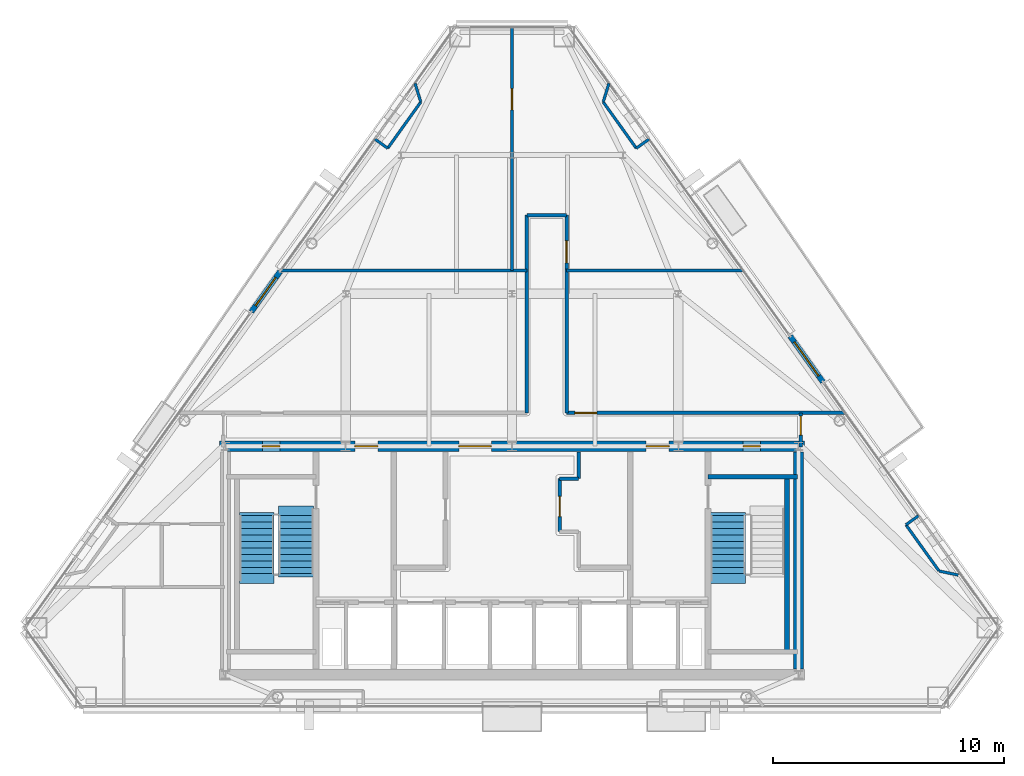
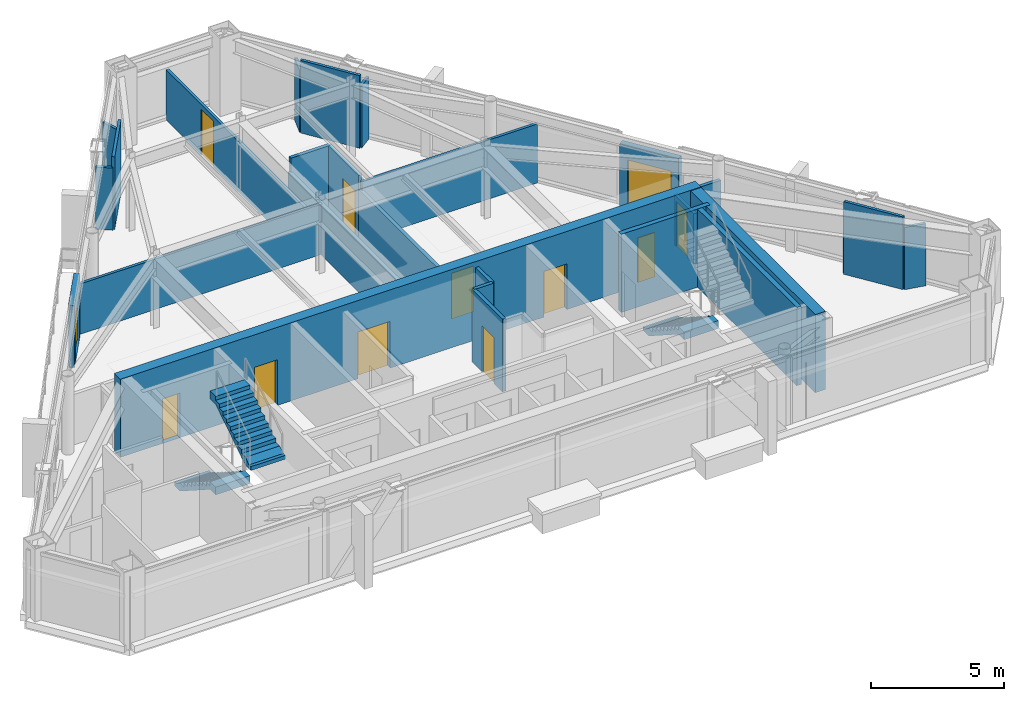
# One storey, part 9 of 12: 27 walls, 12 doors, 3 stair flights, 12 openings, 2 elements without a shape of their own.
"""IFC4 building model written with IfcOpenShell, lengths in metres."""

from ifc_helpers import new_model, si_unit, direction, frame, frame_2d, origin, place, context, subcontext, project, spatial, polyline, rectangle, outline, extrude, material, layer, layer_set, type_object, element, fill, aggregate, save


model = new_model("IFC4")

# Units and contexts
model_context = context("Model", 3, precision=1e-05, world=origin(), true_north=direction((0.0, 1.0)))
body_context = subcontext(model_context, "Body", "Model", "MODEL_VIEW")
ifc_project = project(units=[si_unit("LENGTHUNIT", "METRE"), si_unit("AREAUNIT", "SQUARE_METRE"), si_unit("VOLUMEUNIT", "CUBIC_METRE"), si_unit("PLANEANGLEUNIT", "RADIAN"), si_unit("MASSUNIT", "GRAM", prefix="KILO")], contexts=[model_context])

# Site, building, storey
site_placement = place(None, origin())
site = spatial("IfcSite", under=ifc_project, at=site_placement, CompositionType="ELEMENT")
building_placement = place(site_placement, origin())
building = spatial("IfcBuilding", under=site, at=building_placement, Name="Talgorran Terracotta Tower", CompositionType="ELEMENT")
storey_placement = place(building_placement, frame((0.0, 0.0, 252.60009765625)))
storey = spatial("IfcBuildingStorey", under=building, at=storey_placement, Name="L66", CompositionType="ELEMENT", Elevation=252.60009765625)

# Wall, opening, door
ifc_material_1 = material(Name="Concrete C40/50", Category="concrete")
ifc_layer_1 = layer(ifc_material_1, 0.239990234375, Name="WT_BALCONY_SPAND")
ifc_layer_set_1 = layer_set([ifc_layer_1], Name="Concrete C40/50")
wall_type_1 = type_object("IfcWallType", Name="WT_BALCONY_SPAND", PredefinedType="STANDARD", material=ifc_layer_set_1)
wall_1_placement = place(storey_placement, frame((13.458251953125, -1.417236328125, -0.01513671875), z_axis=(0.0, 0.0, 1.0), x_axis=(-0.582146480264, 0.813083928949, 0.0)))
wall_1 = element("IfcWall", 1, at=wall_1_placement, inside=storey, type_object=wall_type_1, Name="WL-L66-BALP-BAL-NE", PredefinedType="STANDARD", context=body_context, shape_type="SweptSolid", body=[
    extrude(rectangle(XDim=2.43994140625, YDim=0.239990234375, at=frame_2d((1.219970703125, 0.0))), origin(), (0.0, 0.0, 1.0), 2.8779296875),
])
opening_1_placement = place(wall_1_placement, frame((0.320068359375, 0.0, 0.014892578125)))
opening_1 = element("IfcOpeningElement", 2, at=opening_1_placement, cuts=wall_1, Name="Opening D-BAL-L66-1", PredefinedType="OPENING", context=body_context, shape_type="SweptSolid", body=[
    extrude(rectangle(XDim=1.806048828125, YDim=2.203951171875, at=frame_2d((0.89990234375, 1.10205078125))), frame((0.0, 0.1298828125, 0.0), z_axis=(0.0, -1.0, 0.0), x_axis=(1.0, 0.0, 0.0)), (0.0, 0.0, 1.0), 0.260009765625),
])
ifc_material_2 = material(Name="Thermally Broken Aluminium", Category="aluminium")
door_type_1 = type_object("IfcDoorType", Name="DT_BALC_1800", OperationType="SLIDING_TO_LEFT", PredefinedType="DOOR", material=ifc_material_2)
door_1_placement = place(opening_1_placement, origin())
door_1 = element("IfcDoor", 3, at=door_1_placement, inside=storey, type_object=door_type_1, Name="DR-L66-BAL-BAL-NE", OperationType="SLIDING_TO_LEFT", OverallHeight=2.199951171875, OverallWidth=1.800048828125, PredefinedType="DOOR", context=body_context, shape_type="SweptSolid", body=[
    extrude(rectangle(XDim=1.800048828125, YDim=2.199951171875, at=frame_2d((0.89990234375, 1.10009765625))), frame((0.0, 0.02490234375, 0.0), z_axis=(0.0, -1.0, 0.0), x_axis=(1.0, 0.0, 0.0)), (0.0, 0.0, 1.0), 0.050048828125),
])
fill(opening_1, door_1)

wall_2_placement = place(storey_placement, frame((-10.039306640625, 3.357421875, -0.01513671875), z_axis=(0.0, 0.0, 1.0), x_axis=(-0.58216589686, -0.813070026832, 0.0)))
wall_2 = element("IfcWall", 4, at=wall_2_placement, inside=storey, type_object=wall_type_1, Name="WL-L66-BALP-BAL-NW", PredefinedType="STANDARD", context=body_context, shape_type="SweptSolid", body=[
    extrude(rectangle(XDim=2.14013671875, YDim=0.239990234375, at=frame_2d((1.070068359375, 0.0))), origin(), (0.0, 0.0, 1.0), 2.8779296875),
])
opening_2_placement = place(wall_2_placement, frame((0.320068359375, 0.0, 0.014892578125)))
opening_2 = element("IfcOpeningElement", 5, at=opening_2_placement, cuts=wall_2, Name="Opening D-BAL-L66-2", PredefinedType="OPENING", context=body_context, shape_type="SweptSolid", body=[
    extrude(rectangle(XDim=1.506, YDim=2.203951171875, at=frame_2d((0.75, 1.10205078125))), frame((0.0, 0.1298828125, 0.0), z_axis=(0.0, -1.0, 0.0), x_axis=(1.0, 0.0, 0.0)), (0.0, 0.0, 1.0), 0.260009765625),
])
door_type_2 = type_object("IfcDoorType", Name="DT_BALC_1500", OperationType="SLIDING_TO_RIGHT", PredefinedType="DOOR", material=ifc_material_2)
door_2_placement = place(opening_2_placement, origin())
door_2 = element("IfcDoor", 6, at=door_2_placement, inside=storey, type_object=door_type_2, Name="DR-L66-BAL-BAL-NW", OperationType="SLIDING_TO_RIGHT", OverallHeight=2.199951171875, OverallWidth=1.5, PredefinedType="DOOR", context=body_context, shape_type="SweptSolid", body=[
    extrude(rectangle(XDim=1.5, YDim=2.199951171875, at=frame_2d((0.75, 1.10009765625))), frame((0.0, 0.02490234375, 0.0), z_axis=(0.0, -1.0, 0.0), x_axis=(1.0, 0.0, 0.0)), (0.0, 0.0, 1.0), 0.050048828125),
])
fill(opening_2, door_2)

# Walls
ifc_material_3 = material(Name="Concrete C50/60", Category="concrete")
ifc_layer_2 = layer(ifc_material_3, 0.199951171875, Name="WT_CORE_200")
ifc_layer_set_2 = layer_set([ifc_layer_2], Name="Concrete C50/60")
wall_type_2 = type_object("IfcWallType", Name="WT_CORE_200", PredefinedType="SOLIDWALL", material=ifc_layer_set_2)
wall_3_placement = place(storey_placement, frame((8.47998046875, -5.52001953125, 0.0), z_axis=(0.0, 0.0, 1.0), x_axis=(1.0, 0.0, 0.0)))
element("IfcWall", 7, at=wall_3_placement, inside=storey, type_object=wall_type_2, Name="WL-L66-CW-ST2-N", PredefinedType="SOLIDWALL", context=body_context, shape_type="SweptSolid", body=[
    extrude(rectangle(XDim=3.8701171875, YDim=0.199951171875, at=frame_2d((1.93505859375, 0.0))), origin(), (0.0, 0.0, 1.0), 3.599853515625),
])
wall_4_placement = place(storey_placement, frame((11.89990234375, -13.10009765625, 0.0), z_axis=(0.0, 0.0, 1.0), x_axis=(0.0, 1.0, 0.0)))
element("IfcWall", 8, at=wall_4_placement, inside=storey, type_object=wall_type_2, Name="WL-L66-CW-ST2-E", PredefinedType="SOLIDWALL", context=body_context, shape_type="SweptSolid", body=[
    extrude(rectangle(XDim=7.580078125, YDim=0.199951171875, at=frame_2d((3.7900390625, 0.0))), origin(), (0.0, 0.0, 1.0), 3.599853515625),
])

# Wall, openings, doors
ifc_material_4 = material(Name="Concrete C65/80", Category="concrete")
ifc_layer_3 = layer(ifc_material_4, 0.449951171875, Name="WT_CORE_EXT")
ifc_layer_set_3 = layer_set([ifc_layer_3], Name="Concrete C65/80")
wall_type_3 = type_object("IfcWallType", Name="WT_CORE_EXT", PredefinedType="SHEAR", material=ifc_layer_set_3)
wall_5_placement = place(storey_placement, frame((-12.64990234375, -4.199951171875, 0.0), z_axis=(0.0, 0.0, 1.0), x_axis=(1.0, 0.0, 0.0)))
wall_5 = element("IfcWall", 9, at=wall_5_placement, inside=storey, type_object=wall_type_3, Name="WL-L66-CW-OUT-N", PredefinedType="SHEAR", context=body_context, shape_type="SweptSolid", body=[
    extrude(rectangle(XDim=25.2998046875, YDim=0.449951171875, at=frame_2d((12.64990234375, 0.0))), origin(), (0.0, 0.0, 1.0), 3.599853515625),
])
opening_3_placement = place(wall_5_placement, frame((1.85009765625, 0.0, 0.0)))
opening_3 = element("IfcOpeningElement", 10, at=opening_3_placement, cuts=wall_5, Name="Opening DR-CSN1", PredefinedType="OPENING", context=body_context, shape_type="SweptSolid", body=[
    extrude(rectangle(XDim=0.756, YDim=2.054048828125, at=frame_2d((0.375, 1.027099609375))), frame((0.0, 0.23486328125, 0.0), z_axis=(0.0, -1.0, 0.0), x_axis=(1.0, 0.0, 0.0)), (0.0, 0.0, 1.0), 0.469970703125),
])
opening_4_placement = place(wall_5_placement, frame((22.64990234375, 0.0, 0.0)))
opening_4 = element("IfcOpeningElement", 11, at=opening_4_placement, cuts=wall_5, Name="Opening DR-CSN2", PredefinedType="OPENING", context=body_context, shape_type="SweptSolid", body=[
    extrude(rectangle(XDim=0.756, YDim=2.054048828125, at=frame_2d((0.375, 1.027099609375))), frame((0.0, 0.23486328125, 0.0), z_axis=(0.0, -1.0, 0.0), x_axis=(1.0, 0.0, 0.0)), (0.0, 0.0, 1.0), 0.469970703125),
])
opening_5_placement = place(wall_5_placement, frame((5.85009765625, 0.0, 0.0)))
opening_5 = element("IfcOpeningElement", 12, at=opening_5_placement, cuts=wall_5, Name="Opening DR-FFLW-N", PredefinedType="OPENING", context=body_context, shape_type="SweptSolid", body=[
    extrude(rectangle(XDim=1.006, YDim=2.10409765625, at=frame_2d((0.5, 1.052001953125))), frame((0.0, 0.23486328125, 0.0), z_axis=(0.0, -1.0, 0.0), x_axis=(1.0, 0.0, 0.0)), (0.0, 0.0, 1.0), 0.469970703125),
])
opening_6_placement = place(wall_5_placement, frame((10.35009765625, 0.0, 0.0)))
opening_6 = element("IfcOpeningElement", 13, at=opening_6_placement, cuts=wall_5, Name="Opening DR-PLL-N", PredefinedType="OPENING", context=body_context, shape_type="SweptSolid", body=[
    extrude(rectangle(XDim=1.40590234375, YDim=2.15390234375, at=frame_2d((0.699951171875, 1.076904296875))), frame((0.0, 0.23486328125, 0.0), z_axis=(0.0, -1.0, 0.0), x_axis=(1.0, 0.0, 0.0)), (0.0, 0.0, 1.0), 0.469970703125),
])
opening_7_placement = place(wall_5_placement, frame((18.449951171875, 0.0, 0.0)))
opening_7 = element("IfcOpeningElement", 14, at=opening_7_placement, cuts=wall_5, Name="Opening DR-FFLE-N", PredefinedType="OPENING", context=body_context, shape_type="SweptSolid", body=[
    extrude(rectangle(XDim=1.006, YDim=2.10409765625, at=frame_2d((0.5, 1.052001953125))), frame((0.0, 0.23486328125, 0.0), z_axis=(0.0, -1.0, 0.0), x_axis=(1.0, 0.0, 0.0)), (0.0, 0.0, 1.0), 0.469970703125),
])
ifc_material_5 = material(Name="Acoustic Glazed Timber", Category="wood")
door_type_3 = type_object("IfcDoorType", Name="DT_DOUBLE_1400", OperationType="DOUBLE_DOOR_SINGLE_SWING", PredefinedType="DOOR", material=ifc_material_5)
door_3_placement = place(opening_6_placement, origin())
door_3 = element("IfcDoor", 15, at=door_3_placement, inside=storey, type_object=door_type_3, Name="DR-PLL-N", OperationType="DOUBLE_DOOR_SINGLE_SWING", OverallHeight=2.14990234375, OverallWidth=1.39990234375, PredefinedType="DOOR", context=body_context, shape_type="SweptSolid", body=[
    extrude(rectangle(XDim=1.39990234375, YDim=2.14990234375, at=frame_2d((0.699951171875, 1.074951171875))), frame((0.0, 0.02490234375, 0.0), z_axis=(0.0, -1.0, 0.0), x_axis=(1.0, 0.0, 0.0)), (0.0, 0.0, 1.0), 0.050048828125),
])
fill(opening_6, door_3)
ifc_material_6 = material(Name="Fire-Rated Pressed Steel", Category="steel")
door_type_4 = type_object("IfcDoorType", Name="DT_FIRE_1000", OperationType="NOTDEFINED", PredefinedType="DOOR", material=ifc_material_6)
door_4_placement = place(opening_5_placement, origin())
door_4 = element("IfcDoor", 16, at=door_4_placement, inside=storey, type_object=door_type_4, Name="DR-FFLW-N", OperationType="SINGLE_SWING_LEFT", OverallHeight=2.10009765625, OverallWidth=1.0, PredefinedType="DOOR", context=body_context, shape_type="SweptSolid", body=[
    extrude(rectangle(XDim=1.0, YDim=2.10009765625, at=frame_2d((0.5, 1.050048828125))), frame((0.0, 0.02490234375, 0.0), z_axis=(0.0, -1.0, 0.0), x_axis=(1.0, 0.0, 0.0)), (0.0, 0.0, 1.0), 0.050048828125),
])
fill(opening_5, door_4)
door_5_placement = place(opening_7_placement, origin())
door_5 = element("IfcDoor", 17, at=door_5_placement, inside=storey, type_object=door_type_4, Name="DR-FFLE-N", OperationType="SINGLE_SWING_RIGHT", OverallHeight=2.10009765625, OverallWidth=1.0, PredefinedType="DOOR", context=body_context, shape_type="SweptSolid", body=[
    extrude(rectangle(XDim=1.0, YDim=2.10009765625, at=frame_2d((0.5, 1.050048828125))), frame((0.0, 0.02490234375, 0.0), z_axis=(0.0, -1.0, 0.0), x_axis=(1.0, 0.0, 0.0)), (0.0, 0.0, 1.0), 0.050048828125),
])
fill(opening_7, door_5)
door_type_5 = type_object("IfcDoorType", Name="DT_RISER_750", OperationType="NOTDEFINED", PredefinedType="DOOR", material=ifc_material_6)
door_6_placement = place(opening_3_placement, origin())
door_6 = element("IfcDoor", 18, at=door_6_placement, inside=storey, type_object=door_type_5, Name="DR-CSN1", OperationType="SINGLE_SWING_LEFT", OverallHeight=2.050048828125, OverallWidth=0.75, PredefinedType="DOOR", context=body_context, shape_type="SweptSolid", body=[
    extrude(rectangle(XDim=0.75, YDim=2.050048828125, at=frame_2d((0.375, 1.02490234375))), frame((0.0, 0.02490234375, 0.0), z_axis=(0.0, -1.0, 0.0), x_axis=(1.0, 0.0, 0.0)), (0.0, 0.0, 1.0), 0.050048828125),
])
fill(opening_3, door_6)
door_7_placement = place(opening_4_placement, origin())
door_7 = element("IfcDoor", 19, at=door_7_placement, inside=storey, type_object=door_type_5, Name="DR-CSN2", OperationType="SINGLE_SWING_RIGHT", OverallHeight=2.050048828125, OverallWidth=0.75, PredefinedType="DOOR", context=body_context, shape_type="SweptSolid", body=[
    extrude(rectangle(XDim=0.75, YDim=2.050048828125, at=frame_2d((0.375, 1.02490234375))), frame((0.0, 0.02490234375, 0.0), z_axis=(0.0, -1.0, 0.0), x_axis=(1.0, 0.0, 0.0)), (0.0, 0.0, 1.0), 0.050048828125),
])
fill(opening_4, door_7)

# Wall
wall_6_placement = place(storey_placement, frame((12.39990234375, -13.85009765625, 0.0), z_axis=(0.0, 0.0, 1.0), x_axis=(0.0, 1.0, 0.0)))
element("IfcWall", 20, at=wall_6_placement, inside=storey, type_object=wall_type_3, Name="WL-L66-CW-OUT-E", PredefinedType="SHEAR", context=body_context, shape_type="SweptSolid", body=[
    extrude(rectangle(XDim=9.400146484375, YDim=0.449951171875, at=frame_2d((4.7001953125, 0.0))), origin(), (0.0, 0.0, 1.0), 3.599853515625),
])

# Wall, opening, door
ifc_material_7 = material(Name="Fire-Rated Steel Stud Plasterboard", Category="steel")
ifc_layer_4 = layer(ifc_material_7, 0.14990234375, Name="WT_FIRE_150")
ifc_layer_set_4 = layer_set([ifc_layer_4], Name="Fire-Rated Steel Stud Plasterboard")
wall_type_4 = type_object("IfcWallType", Name="WT_FIRE_150", PredefinedType="PARTITIONING", material=ifc_layer_set_4)
wall_7_placement = place(storey_placement, frame((2.06005859375, -7.89990234375, 0.0), z_axis=(0.0, 0.0, 1.0), x_axis=(0.0, 1.0, 0.0)))
wall_7 = element("IfcWall", 21, at=wall_7_placement, inside=storey, type_object=wall_type_4, Name="WL-L66-CW-V-E3C", PredefinedType="PARTITIONING", context=body_context, shape_type="SweptSolid", body=[
    extrude(rectangle(XDim=2.2998046875, YDim=0.14990234375, at=frame_2d((1.14990234375, 0.0))), origin(), (0.0, 0.0, 1.0), 3.344970703125),
])
opening_8_placement = place(wall_7_placement, frame((0.64990234375, 0.0, 0.0)))
opening_8 = element("IfcOpeningElement", 22, at=opening_8_placement, cuts=wall_7, Name="Opening DR-FRPLM-B", PredefinedType="OPENING", context=body_context, shape_type="SweptSolid", body=[
    extrude(rectangle(XDim=0.8858828125, YDim=2.10409765625, at=frame_2d((0.43994140625, 1.052001953125))), frame((0.0, 0.0849609375, 0.0), z_axis=(0.0, -1.0, 0.0), x_axis=(1.0, 0.0, 0.0)), (0.0, 0.0, 1.0), 0.169921875),
])
ifc_material_8 = material(Name="Solid-Core Painted Timber", Category="wood")
door_type_6 = type_object("IfcDoorType", Name="DT_INT_880", OperationType="NOTDEFINED", PredefinedType="DOOR", material=ifc_material_8)
door_8_placement = place(opening_8_placement, origin())
door_8 = element("IfcDoor", 23, at=door_8_placement, inside=storey, type_object=door_type_6, Name="DR-FRPLM-B", OperationType="SINGLE_SWING_RIGHT", OverallHeight=2.10009765625, OverallWidth=0.8798828125, PredefinedType="DOOR", context=body_context, shape_type="SweptSolid", body=[
    extrude(rectangle(XDim=0.8798828125, YDim=2.10009765625, at=frame_2d((0.43994140625, 1.050048828125))), frame((0.0, 0.02490234375, 0.0), z_axis=(0.0, -1.0, 0.0), x_axis=(1.0, 0.0, 0.0)), (0.0, 0.0, 1.0), 0.050048828125),
])
fill(opening_8, door_8)

# Walls
wall_8_placement = place(storey_placement, frame((2.06005859375, -5.60009765625, 0.0), z_axis=(0.0, 0.0, 1.0), x_axis=(1.0, 0.0, 0.0)))
element("IfcWall", 24, at=wall_8_placement, inside=storey, type_object=wall_type_4, Name="WL-L66-CW-H-E3D", PredefinedType="PARTITIONING", context=body_context, shape_type="SweptSolid", body=[
    extrude(rectangle(XDim=0.81982421875, YDim=0.14990234375, at=frame_2d((0.409912109375, 0.0))), origin(), (0.0, 0.0, 1.0), 3.344970703125),
])
wall_9_placement = place(storey_placement, frame((2.8798828125, -5.60009765625, 0.0), z_axis=(0.0, 0.0, 1.0), x_axis=(0.0, 1.0, 0.0)))
element("IfcWall", 25, at=wall_9_placement, inside=storey, type_object=wall_type_4, Name="WL-L66-CW-V-E3E", PredefinedType="PARTITIONING", context=body_context, shape_type="SweptSolid", body=[
    extrude(rectangle(XDim=1.150146484375, YDim=0.14990234375, at=frame_2d((0.5751953125, 0.0))), origin(), (0.0, 0.0, 1.0), 3.344970703125),
])

# Wall, opening, door
wall_10_placement = place(storey_placement, frame((2.360107421875, -2.760009765625, 0.0), z_axis=(0.0, 0.0, 1.0), x_axis=(1.0, 0.0, 0.0)))
wall_10 = element("IfcWall", 26, at=wall_10_placement, inside=storey, type_object=wall_type_4, Name="WL-L66-W-L66-R04", PredefinedType="PARTITIONING", context=body_context, shape_type="SweptSolid", body=[
    extrude(rectangle(XDim=12.059814453125, YDim=0.14990234375, at=frame_2d((6.02978515625, 0.0))), origin(), (0.0, 0.0, 1.0), 2.31982421875),
])
opening_9_placement = place(wall_10_placement, frame((0.359619140625, 0.0, 0.0)))
opening_9 = element("IfcOpeningElement", 27, at=opening_9_placement, cuts=wall_10, Name="Opening DR-L66-R07", PredefinedType="OPENING", context=body_context, shape_type="SweptSolid", body=[
    extrude(rectangle(XDim=0.955951171875, YDim=2.10409765625, at=frame_2d((0.47509765625, 1.052001953125))), frame((0.0, 0.0849609375, 0.0), z_axis=(0.0, -1.0, 0.0), x_axis=(1.0, 0.0, 0.0)), (0.0, 0.0, 1.0), 0.169921875),
])
ifc_material_9 = material(Name="Fire-Rated Timber Core", Category="wood")
door_type_7 = type_object("IfcDoorType", Name="DT_FIRE_950", OperationType="NOTDEFINED", PredefinedType="DOOR", material=ifc_material_9)
door_9_placement = place(opening_9_placement, origin())
door_9 = element("IfcDoor", 28, at=door_9_placement, inside=storey, type_object=door_type_7, Name="DR-L66-R07", OperationType="SINGLE_SWING_LEFT", OverallHeight=2.10009765625, OverallWidth=0.949951171875, PredefinedType="DOOR", context=body_context, shape_type="SweptSolid", body=[
    extrude(rectangle(XDim=0.949951171875, YDim=2.10009765625, at=frame_2d((0.47509765625, 1.050048828125))), frame((0.0, 0.02490234375, 0.0), z_axis=(0.0, -1.0, 0.0), x_axis=(1.0, 0.0, 0.0)), (0.0, 0.0, 1.0), 0.050048828125),
])
fill(opening_9, door_9)

# Walls
wall_11_placement = place(storey_placement, frame((2.360107421875, -2.760009765625, 0.0), z_axis=(0.0, 0.0, 1.0), x_axis=(0.0, 1.0, 0.0)))
element("IfcWall", 29, at=wall_11_placement, inside=storey, type_object=wall_type_4, Name="WL-L66-W-L66-R03", PredefinedType="PARTITIONING", context=body_context, shape_type="SweptSolid", body=[
    extrude(rectangle(XDim=6.219970703125, YDim=0.14990234375, at=frame_2d((3.10986328125, 0.0))), origin(), (0.0, 0.0, 1.0), 2.31982421875),
])
wall_12_placement = place(storey_placement, frame((0.639892578125, -2.760009765625, 0.0), z_axis=(0.0, 0.0, 1.0), x_axis=(0.0, 1.0, 0.0)))
element("IfcWall", 30, at=wall_12_placement, inside=storey, type_object=wall_type_4, Name="WL-L66-W-L66-R09", PredefinedType="PARTITIONING", context=body_context, shape_type="SweptSolid", body=[
    extrude(rectangle(XDim=8.56005859375, YDim=0.14990234375, at=frame_2d((4.280029296875, 0.0))), origin(), (0.0, 0.0, 1.0), 2.31982421875),
])

# Wall, opening, door
wall_13_placement = place(storey_placement, frame((2.360107421875, 3.4619140625, 0.0), z_axis=(0.0, 0.0, 1.0), x_axis=(0.0, 1.0, 0.0)))
wall_13 = element("IfcWall", 31, at=wall_13_placement, inside=storey, type_object=wall_type_4, Name="WL-L66-W-L66-R07", PredefinedType="PARTITIONING", context=body_context, shape_type="SweptSolid", body=[
    extrude(rectangle(XDim=2.338134765625, YDim=0.14990234375, at=frame_2d((1.1689453125, 0.0))), origin(), (0.0, 0.0, 1.0), 2.96435546875),
])
opening_10_placement = place(wall_13_placement, frame((0.27587890625, 0.0, 0.0)))
opening_10 = element("IfcOpeningElement", 32, at=opening_10_placement, cuts=wall_13, Name="Opening DR-L66-R09", PredefinedType="OPENING", context=body_context, shape_type="SweptSolid", body=[
    extrude(rectangle(XDim=0.955951171875, YDim=2.10409765625, at=frame_2d((0.47509765625, 1.052001953125))), frame((0.0, 0.0849609375, 0.0), z_axis=(0.0, -1.0, 0.0), x_axis=(1.0, 0.0, 0.0)), (0.0, 0.0, 1.0), 0.169921875),
])
door_10_placement = place(opening_10_placement, origin())
door_10 = element("IfcDoor", 33, at=door_10_placement, inside=storey, type_object=door_type_7, Name="DR-L66-R09", OperationType="SINGLE_SWING_LEFT", OverallHeight=2.10009765625, OverallWidth=0.949951171875, PredefinedType="DOOR", context=body_context, shape_type="SweptSolid", body=[
    extrude(rectangle(XDim=0.949951171875, YDim=2.10009765625, at=frame_2d((0.47509765625, 1.050048828125))), frame((0.0, 0.02490234375, 0.0), z_axis=(0.0, -1.0, 0.0), x_axis=(1.0, 0.0, 0.0)), (0.0, 0.0, 1.0), 0.050048828125),
])
fill(opening_10, door_10)

# Wall
wall_14_placement = place(storey_placement, frame((0.639892578125, 5.800048828125, 0.0), z_axis=(0.0, 0.0, 1.0), x_axis=(1.0, 0.0, 0.0)))
element("IfcWall", 34, at=wall_14_placement, inside=storey, type_object=wall_type_4, Name="WL-L66-W-L66-R06", PredefinedType="PARTITIONING", context=body_context, shape_type="SweptSolid", body=[
    extrude(rectangle(XDim=1.72021484375, YDim=0.14990234375, at=frame_2d((0.860107421875, 0.0))), origin(), (0.0, 0.0, 1.0), 2.96435546875),
])

# Wall, opening, door
wall_15_placement = place(storey_placement, frame((12.5, -4.239990234375, 0.0), z_axis=(0.0, 0.0, 1.0), x_axis=(0.0, 1.0, 0.0)))
wall_15 = element("IfcWall", 35, at=wall_15_placement, inside=storey, type_object=wall_type_4, Name="WL-L66-W-L66-R02", PredefinedType="PARTITIONING", context=body_context, shape_type="SweptSolid", body=[
    extrude(rectangle(XDim=1.47998046875, YDim=0.14990234375, at=frame_2d((0.739990234375, 0.0))), origin(), (0.0, 0.0, 1.0), 2.31982421875),
])
opening_11_placement = place(wall_15_placement, frame((0.521728515625, 0.0, 0.0)))
opening_11 = element("IfcOpeningElement", 36, at=opening_11_placement, cuts=wall_15, Name="Opening DR-L66-R06", PredefinedType="OPENING", context=body_context, shape_type="SweptSolid", body=[
    extrude(rectangle(XDim=0.826068359375, YDim=2.10409765625, at=frame_2d((0.41015625, 1.052001953125))), frame((0.0, 0.0849609375, 0.0), z_axis=(0.0, -1.0, 0.0), x_axis=(1.0, 0.0, 0.0)), (0.0, 0.0, 1.0), 0.169921875),
])
ifc_material_10 = material(Name="Moisture-Resistant Solid Timber", Category="wood")
door_type_8 = type_object("IfcDoorType", Name="DT_INT_820", OperationType="NOTDEFINED", PredefinedType="DOOR", material=ifc_material_10)
door_11_placement = place(opening_11_placement, origin())
door_11 = element("IfcDoor", 37, at=door_11_placement, inside=storey, type_object=door_type_8, Name="DR-L66-R06", OperationType="SINGLE_SWING_RIGHT", OverallHeight=2.10009765625, OverallWidth=0.820068359375, PredefinedType="DOOR", context=body_context, shape_type="SweptSolid", body=[
    extrude(rectangle(XDim=0.820068359375, YDim=2.10009765625, at=frame_2d((0.41015625, 1.050048828125))), frame((0.0, 0.02490234375, 0.0), z_axis=(0.0, -1.0, 0.0), x_axis=(1.0, 0.0, 0.0)), (0.0, 0.0, 1.0), 0.050048828125),
])
fill(opening_11, door_11)

ifc_material_11 = material(Name="Insulated Steel Stud Plasterboard", Category="steel")
ifc_layer_5 = layer(ifc_material_11, 0.1201171875, Name="WT_PART_120")
ifc_layer_set_5 = layer_set([ifc_layer_5], Name="Insulated Steel Stud Plasterboard")
wall_type_5 = type_object("IfcWallType", Name="WT_PART_120", PredefinedType="PARTITIONING", material=ifc_layer_set_5)
wall_16_placement = place(storey_placement, frame((0.0, 3.39990234375, 0.0), z_axis=(0.0, 0.0, 1.0), x_axis=(0.0, 1.0, 0.0)))
wall_16 = element("IfcWall", 38, at=wall_16_placement, inside=storey, type_object=wall_type_5, Name="WL-L66-W-L66-R18", PredefinedType="PARTITIONING", context=body_context, shape_type="SweptSolid", body=[
    extrude(rectangle(XDim=10.536865234375, YDim=0.1201171875, at=frame_2d((5.2685546875, 0.0))), origin(), (0.0, 0.0, 1.0), 2.31982421875),
])
opening_12_placement = place(wall_16_placement, frame((6.95751953125, 0.0, 0.0)))
opening_12 = element("IfcOpeningElement", 39, at=opening_12_placement, cuts=wall_16, Name="Opening DR-L66-R08", PredefinedType="OPENING", context=body_context, shape_type="SweptSolid", body=[
    extrude(rectangle(XDim=0.925921875, YDim=2.10409765625, at=frame_2d((0.4599609375, 1.052001953125))), frame((0.0, 0.070068359375, 0.0), z_axis=(0.0, -1.0, 0.0), x_axis=(1.0, 0.0, 0.0)), (0.0, 0.0, 1.0), 0.14013671875),
])
door_type_9 = type_object("IfcDoorType", Name="DT_INT_920", OperationType="NOTDEFINED", PredefinedType="DOOR", material=ifc_material_8)
door_12_placement = place(opening_12_placement, origin())
door_12 = element("IfcDoor", 40, at=door_12_placement, inside=storey, type_object=door_type_9, Name="DR-L66-R08", OperationType="SINGLE_SWING_RIGHT", OverallHeight=2.10009765625, OverallWidth=0.919921875, PredefinedType="DOOR", context=body_context, shape_type="SweptSolid", body=[
    extrude(rectangle(XDim=0.919921875, YDim=2.10009765625, at=frame_2d((0.4599609375, 1.050048828125))), frame((0.0, 0.02490234375, 0.0), z_axis=(0.0, -1.0, 0.0), x_axis=(1.0, 0.0, 0.0)), (0.0, 0.0, 1.0), 0.050048828125),
])
fill(opening_12, door_12)

# Walls
wall_17_placement = place(storey_placement, frame((-10.0087890625, 3.39990234375, 0.0), z_axis=(0.0, 0.0, 1.0), x_axis=(1.0, 0.0, 0.0)))
element("IfcWall", 41, at=wall_17_placement, inside=storey, type_object=wall_type_5, Name="WL-L66-W-L66-R19", PredefinedType="PARTITIONING", context=body_context, shape_type="SweptSolid", body=[
    extrude(rectangle(XDim=10.648681640625, YDim=0.1201171875, at=frame_2d((5.32421875, 0.0))), origin(), (0.0, 0.0, 1.0), 2.31982421875),
])
wall_18_placement = place(storey_placement, frame((2.360107421875, 3.39990234375, 0.0), z_axis=(0.0, 0.0, 1.0), x_axis=(1.0, 0.0, 0.0)))
element("IfcWall", 42, at=wall_18_placement, inside=storey, type_object=wall_type_5, Name="WL-L66-W-L66-R17", PredefinedType="PARTITIONING", context=body_context, shape_type="SweptSolid", body=[
    extrude(rectangle(XDim=7.648681640625, YDim=0.1201171875, at=frame_2d((3.82421875, 0.0))), origin(), (0.0, 0.0, 1.0), 2.718017578125),
])
for number, where, z_axis, x_axis, name in (
    (43, (-3.947509765625, 10.6962890625, 0.0), (0.0, 0.0, 1.0), (-0.582269881882, -0.812995562505, 0.0), "WL-L66-BW-L66-15"),
    (44, (5.380615234375, 8.6953125, 0.0), (0.0, 0.0, 1.0), (-0.582269881882, 0.812995562505, 0.0), "WL-L66-BW-L66-18"),
):
    element("IfcWall", number, at=place(storey_placement, frame(where, z_axis=z_axis, x_axis=x_axis)), inside=storey, type_object=wall_type_5, Name=name, PredefinedType="PARTITIONING", context=body_context, shape_type="SweptSolid", body=[
        extrude(rectangle(XDim=2.461181640625, YDim=0.1201171875, at=frame_2d((1.23046875, 0.0))), origin(), (0.0, 0.0, 1.0), 3.344970703125),
    ])
wall_19_placement = place(storey_placement, frame((18.48291015625, -9.601806640625, 0.0), z_axis=(0.0, 0.0, 1.0), x_axis=(-0.582222927872, 0.813029189058, 0.0)))
element("IfcWall", 45, at=wall_19_placement, inside=storey, type_object=wall_type_5, Name="WL-L66-BW-L66-13", PredefinedType="PARTITIONING", context=body_context, shape_type="SweptSolid", body=[
    extrude(rectangle(XDim=2.46142578125, YDim=0.1201171875, at=frame_2d((1.230712890625, 0.0))), origin(), (0.0, 0.0, 1.0), 3.344970703125),
])
wall_20_placement = place(storey_placement, frame((19.315185546875, -9.77734375, 0.0), z_axis=(0.0, 0.0, 1.0), x_axis=(-0.978473583793, 0.206372105235, 0.0)))
element("IfcWall", 46, at=wall_20_placement, inside=storey, type_object=wall_type_5, Name="WL-L66-BW-L66-12", PredefinedType="PARTITIONING", context=body_context, shape_type="SweptSolid", body=[
    extrude(rectangle(XDim=0.8505859375, YDim=0.1201171875, at=frame_2d((0.42529296875, 0.0))), origin(), (0.0, 0.0, 1.0), 2.86279296875),
])
for number, where, z_axis, x_axis, name in (
    (47, (-4.1953125, 11.50146484375, 0.0), (0.0, 0.0, 1.0), (0.294146941198, -0.955760208935, 0.0), "WL-L66-BW-L66-14"),
    (48, (3.947509765625, 10.6962890625, 0.0), (0.0, 0.0, 1.0), (0.294146941198, 0.955760208935, 0.0), "WL-L66-BW-L66-19"),
):
    element("IfcWall", number, at=place(storey_placement, frame(where, z_axis=z_axis, x_axis=x_axis)), inside=storey, type_object=wall_type_5, Name=name, PredefinedType="PARTITIONING", context=body_context, shape_type="SweptSolid", body=[
        extrude(rectangle(XDim=0.842529296875, YDim=0.1201171875, at=frame_2d((0.42138671875, 0.0))), origin(), (0.0, 0.0, 1.0), 2.86279296875),
    ])
for number, where, z_axis, x_axis, name in (
    (49, (17.0498046875, -7.6005859375, 0.0), (0.0, 0.0, 1.0), (0.813142011208, 0.582065348229, 0.0), "WL-L66-BW-L66-11"),
    (50, (-5.380615234375, 8.6953125, 0.0), (0.0, 0.0, 1.0), (-0.812969505803, 0.582306261888, 0.0), "WL-L66-BW-L66-16"),
    (51, (5.92529296875, 9.08544921875, 0.0), (0.0, 0.0, 1.0), (-0.812969505803, -0.582306261888, 0.0), "WL-L66-BW-L66-17"),
):
    element("IfcWall", number, at=place(storey_placement, frame(where, z_axis=z_axis, x_axis=x_axis)), inside=storey, type_object=wall_type_5, Name=name, PredefinedType="PARTITIONING", context=body_context, shape_type="SweptSolid", body=[
        extrude(rectangle(XDim=0.669921875, YDim=0.1201171875, at=frame_2d((0.3349609375, 0.0))), origin(), (0.0, 0.0, 1.0), 2.86279296875),
    ])

# Stair, stair flights
stair_type = type_object("IfcStairType", Name="ST_FIRE_SCISSOR", PredefinedType="HALF_TURN_STAIR", material=ifc_material_1)
stair_1_placement = place(storey_placement, origin())
stair_1 = element("IfcStair", 52, at=stair_1_placement, inside=storey, type_object=stair_type, Name="L66 West Protected Fire Stair ST-01", PredefinedType="HALF_TURN_STAIR")
ifc_layer_6 = layer(ifc_material_1, 0.179931640625, Name="STF_RC_1500")
ifc_layer_set_6 = layer_set([ifc_layer_6], Name="Concrete C40/50")
stair_flight_type = type_object("IfcStairFlightType", Name="STF_RC_1500", PredefinedType="STRAIGHT", material=ifc_layer_set_6)
stair_flight_1_placement = place(storey_placement, frame((-11.050048828125, -7.199951171875, 0.0), z_axis=(0.0, 0.0, 1.0), x_axis=(0.0, -1.0, 0.0)))
stair_flight_1 = element("IfcStairFlight", 53, at=stair_flight_1_placement, type_object=stair_flight_type, Name="ST-01 flight 1", NumberOfRisers=10, NumberOfTreads=9, PredefinedType="STRAIGHT", RiserHeight=0.18, TreadLength=0.28, context=body_context, shape_type="SweptSolid", body=[
    extrude(outline(polyline([(-0.139892578125, 0.0), (-0.139892578125, 0.179931640625), (0.0, 0.179931640625), (0.280029296875, 0.360107421875), (0.56005859375, 0.360107421875), (0.56005859375, 0.5400390625), (0.840087890625, 0.5400390625), (0.840087890625, 0.719970703125), (1.1201171875, 0.719970703125), (1.1201171875, 0.89990234375), (1.39990234375, 0.89990234375), (1.39990234375, 1.080078125), (1.679931640625, 1.080078125), (1.679931640625, 1.260009765625), (1.9599609375, 1.260009765625), (1.9599609375, 1.43994140625), (2.239990234375, 1.43994140625), (2.239990234375, 1.6201171875), (2.52001953125, 1.6201171875), (2.52001953125, 1.800048828125), (2.93994140625, 1.800048828125), (2.93994140625, 1.44189453125), (2.52001953125, 1.44189453125), (0.277099609375, 0.0), (-0.139892578125, 0.0)])), frame((0.0, 0.75, 0.0), z_axis=(0.0, -1.0, 0.0), x_axis=(1.0, 0.0, 0.0)), (0.0, 0.0, 1.0), 1.5),
])
stair_flight_2_placement = place(storey_placement, frame((-9.35009765625, -9.719970703125, 1.7998046875), z_axis=(0.0, 0.0, 1.0), x_axis=(0.0, 1.0, 0.0)))
stair_flight_2 = element("IfcStairFlight", 54, at=stair_flight_2_placement, type_object=stair_flight_type, Name="ST-01 flight 2", NumberOfRisers=10, NumberOfTreads=9, PredefinedType="STRAIGHT", RiserHeight=0.18, TreadLength=0.28, context=body_context, shape_type="SweptSolid", body=[
    extrude(outline(polyline([(-0.139892578125, 0.0), (-0.139892578125, 0.179931640625), (0.0, 0.179931640625), (0.280029296875, 0.360107421875), (0.56005859375, 0.360107421875), (0.56005859375, 0.5400390625), (0.840087890625, 0.5400390625), (0.840087890625, 0.719970703125), (1.1201171875, 0.719970703125), (1.1201171875, 0.89990234375), (1.39990234375, 0.89990234375), (1.39990234375, 1.080078125), (1.679931640625, 1.080078125), (1.679931640625, 1.260009765625), (1.9599609375, 1.260009765625), (1.9599609375, 1.43994140625), (2.239990234375, 1.43994140625), (2.239990234375, 1.6201171875), (2.52001953125, 1.6201171875), (2.52001953125, 1.800048828125), (2.93994140625, 1.800048828125), (2.93994140625, 1.44189453125), (2.52001953125, 1.44189453125), (0.277099609375, 0.0), (-0.139892578125, 0.0)])), frame((0.0, 0.75, 0.0), z_axis=(0.0, -1.0, 0.0), x_axis=(1.0, 0.0, 0.0)), (0.0, 0.0, 1.0), 1.5),
])
aggregate(stair_1, [stair_flight_1, stair_flight_2])

# Stair, stair flight
stair_2_placement = place(storey_placement, origin())
stair_2 = element("IfcStair", 55, at=stair_2_placement, inside=storey, type_object=stair_type, Name="L66 East Protected Fire Stair ST-02", PredefinedType="HALF_TURN_STAIR")
stair_flight_3_placement = place(storey_placement, frame((9.35009765625, -7.199951171875, 0.0), z_axis=(0.0, 0.0, 1.0), x_axis=(0.0, -1.0, 0.0)))
stair_flight_3 = element("IfcStairFlight", 56, at=stair_flight_3_placement, type_object=stair_flight_type, Name="ST-02 flight 1", NumberOfRisers=10, NumberOfTreads=9, PredefinedType="STRAIGHT", RiserHeight=0.18, TreadLength=0.28, context=body_context, shape_type="SweptSolid", body=[
    extrude(outline(polyline([(-0.139892578125, 0.0), (-0.139892578125, 0.179931640625), (0.0, 0.179931640625), (0.280029296875, 0.360107421875), (0.56005859375, 0.360107421875), (0.56005859375, 0.5400390625), (0.840087890625, 0.5400390625), (0.840087890625, 0.719970703125), (1.1201171875, 0.719970703125), (1.1201171875, 0.89990234375), (1.39990234375, 0.89990234375), (1.39990234375, 1.080078125), (1.679931640625, 1.080078125), (1.679931640625, 1.260009765625), (1.9599609375, 1.260009765625), (1.9599609375, 1.43994140625), (2.239990234375, 1.43994140625), (2.239990234375, 1.6201171875), (2.52001953125, 1.6201171875), (2.52001953125, 1.800048828125), (2.93994140625, 1.800048828125), (2.93994140625, 1.44189453125), (2.52001953125, 1.44189453125), (0.277099609375, 0.0), (-0.139892578125, 0.0)])), frame((0.0, 0.75, 0.0), z_axis=(0.0, -1.0, 0.0), x_axis=(1.0, 0.0, 0.0)), (0.0, 0.0, 1.0), 1.5),
])
aggregate(stair_2, [stair_flight_3])

save(model, "model.ifc")
